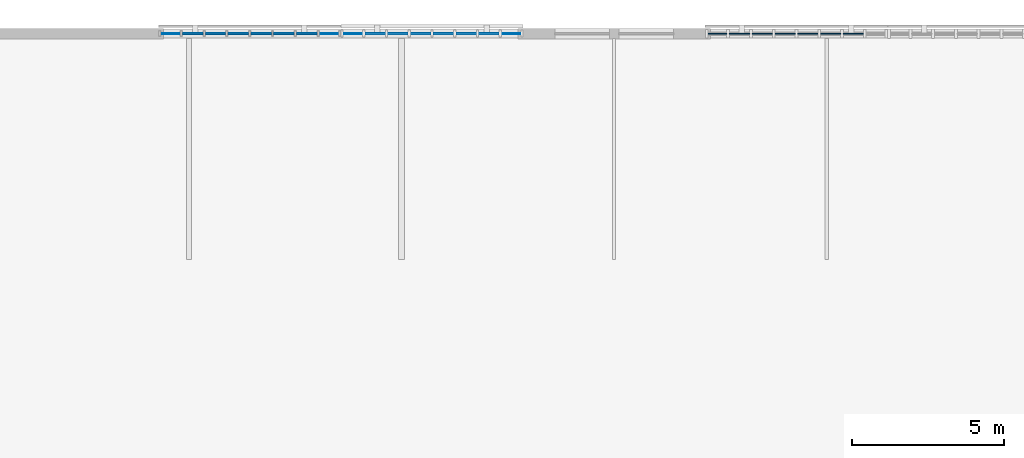
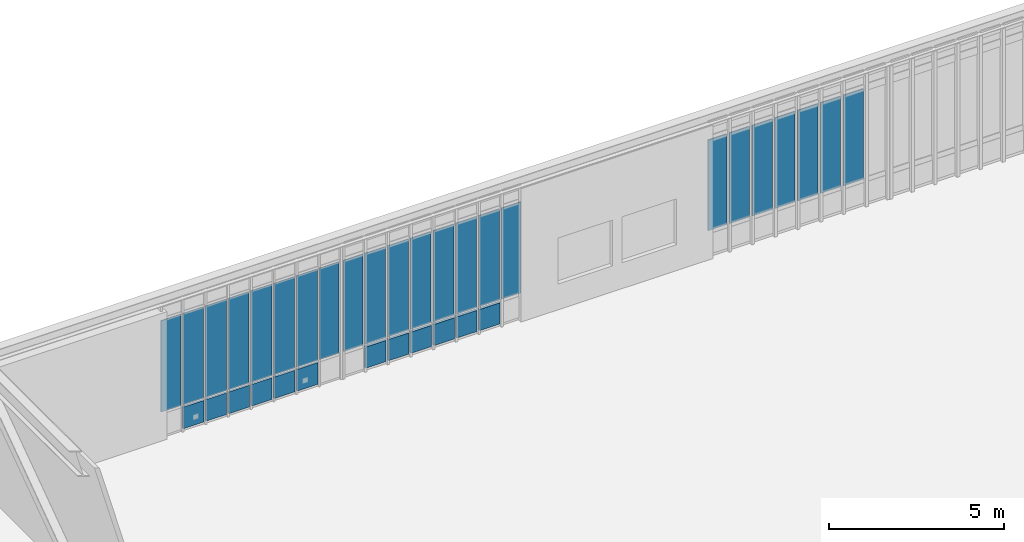
# One storey, part 81 of 135: 35 plates, 3 elements without a shape of their own.
"""IFC4 building model written with IfcOpenShell, lengths in metres."""

import ifcopenshell
import ifcopenshell.guid

model = None  # the IFC model being written
_history = None  # IfcOwnerHistory: only IFC2X3 demands one
_inside = {}  # id of a spatial element -> (the spatial element, [elements in it])
_under = {}  # id of a project, library or spatial element -> (it, [spatial elements below it])
_declared = {}  # id of a project -> (the project, [libraries it declares])
_typed = {}  # id of a type object -> (the type object, [elements of that type])
_made_of = {}  # id of a material, layer set ... -> (it, [elements and type objects made of it])


def new_model(schema):
    """Start an empty IFC model of exactly this schema.

    Asked for "IFC4X3", IfcOpenShell would pick the latest addendum, in which some entities
    have other attributes; the version numbers below select the first issue.
    IFC2X3 requires an IfcOwnerHistory on every rooted entity: one is made here for all.
    """
    global model, _history
    if schema == "IFC4X3":
        model = ifcopenshell.file(schema_version=(4, 3, 0, 0))
    else:
        model = ifcopenshell.file(schema=schema)
    _inside.clear()
    _under.clear()
    _declared.clear()
    _typed.clear()
    _made_of.clear()
    _history = None
    if model.schema == "IFC2X3":
        org = make("IfcOrganization", Name="unknown")
        user = make(
            "IfcPersonAndOrganization",
            ThePerson=make("IfcPerson", FamilyName="unknown"),
            TheOrganization=org,
        )
        app = make(
            "IfcApplication",
            ApplicationDeveloper=org,
            Version="unknown",
            ApplicationFullName="unknown",
            ApplicationIdentifier="unknown",
        )
        _history = make(
            "IfcOwnerHistory",
            OwningUser=user,
            OwningApplication=app,
            ChangeAction="ADDED",
            CreationDate=0,
        )
    return model


def make(cls, **values):
    """One entity of the class cls with the attributes given. An attribute that is None is left unset."""
    return model.create_entity(
        cls, **{name: value for name, value in values.items() if value is not None}
    )


def rooted(cls, **values):
    """An entity with a GlobalId (a new one), such as an element, a storey or a relation."""
    return make(cls, GlobalId=ifcopenshell.guid.new(), OwnerHistory=_history, **values)


def si_unit(unit_type, name, prefix=None):
    """IfcSIUnit, for example si_unit("LENGTHUNIT", "METRE", prefix="MILLI")."""
    return make("IfcSIUnit", UnitType=unit_type, Prefix=prefix, Name=name)


def assignment(units):
    """IfcUnitAssignment: the units of a project."""
    return None if units is None else make("IfcUnitAssignment", Units=units)


def point(xyz):
    """IfcCartesianPoint."""
    return None if xyz is None else make("IfcCartesianPoint", Coordinates=xyz)


def direction(xyz):
    """IfcDirection."""
    return None if xyz is None else make("IfcDirection", DirectionRatios=xyz)


def frame(location, z_axis=None, x_axis=None):
    """IfcAxis2Placement3D, a coordinate frame: its origin and axes. An axis left out is left unset."""
    return make(
        "IfcAxis2Placement3D",
        Location=point(location),
        Axis=direction(z_axis),
        RefDirection=direction(x_axis),
    )


def frame_2d(location, x_axis=None):
    """IfcAxis2Placement2D, a coordinate frame in the plane: its origin and x axis."""
    return make(
        "IfcAxis2Placement2D", Location=point(location), RefDirection=direction(x_axis)
    )


def origin():
    """The frame at (0, 0, 0) with its axes left unset."""
    return frame((0.0, 0.0, 0.0))


def origin_2d():
    """The frame at (0, 0) in the plane with its x axis left unset."""
    return frame_2d((0.0, 0.0))


def place(relative_to, where):
    """IfcLocalPlacement: puts the frame where relative to a parent placement (None: the world)."""
    return make(
        "IfcLocalPlacement", PlacementRelTo=relative_to, RelativePlacement=where
    )


def context(
    kind, dimensions, precision=None, world=None, true_north=None, identifier=None
):
    """IfcGeometricRepresentationContext, for example the 3D "Model" context."""
    return make(
        "IfcGeometricRepresentationContext",
        ContextIdentifier=identifier,
        ContextType=kind,
        CoordinateSpaceDimension=dimensions,
        Precision=precision,
        WorldCoordinateSystem=world,
        TrueNorth=true_north,
    )


def subcontext(parent, identifier, kind, view, scale=None):
    """IfcGeometricRepresentationSubContext, for example "Body" below "Model"."""
    return make(
        "IfcGeometricRepresentationSubContext",
        ContextIdentifier=identifier,
        ContextType=kind,
        ParentContext=parent,
        TargetScale=scale,
        TargetView=view,
    )


def project(units=None, contexts=None):
    """IfcProject with its units and contexts."""
    return rooted(
        "IfcProject",
        Name="project",
        RepresentationContexts=contexts,
        UnitsInContext=assignment(units),
    )


def spatial(cls, under=None, at=None, **own):
    """A site, building, storey or space (cls), placed at a placement, below another one or the project."""
    s = rooted(cls, ObjectPlacement=at, **own)
    if under is not None:
        _under.setdefault(under.id(), (under, []))[1].append(s)
    return s


def profile(cls, at=None, kind="AREA", **sizes):
    """A parametric profile (cls). Its sizes go by their IFC names, for example OverallWidth=200.0."""
    return make(cls, ProfileType=kind, Position=at, **sizes)


def rectangle(**sizes):
    """IfcRectangleProfileDef."""
    return profile("IfcRectangleProfileDef", **sizes)


def extrude(swept, where, along, depth):
    """IfcExtrudedAreaSolid: the profile swept, set in the frame where, extruded along a direction by depth."""
    return make(
        "IfcExtrudedAreaSolid",
        SweptArea=swept,
        Position=where,
        ExtrudedDirection=direction(along),
        Depth=depth,
    )


def shape(context_of_items, identifier, shape_type, items):
    """IfcShapeRepresentation: the items that make up one representation, for example the "Body"."""
    return make(
        "IfcShapeRepresentation",
        ContextOfItems=context_of_items,
        RepresentationIdentifier=identifier,
        RepresentationType=shape_type,
        Items=items,
    )


def material(Name=None, Category=None):
    """IfcMaterial."""
    return make("IfcMaterial", Name=Name, Category=Category)


def layer(
    of_material, thickness, ventilated=None, Name=None, Category=None, Priority=None
):
    """IfcMaterialLayer: one layer of a wall or slab, of a material (None: an air gap)."""
    return make(
        "IfcMaterialLayer",
        Material=of_material,
        LayerThickness=thickness,
        IsVentilated=ventilated,
        Name=Name,
        Category=Category,
        Priority=Priority,
    )


def layer_set(layers, Name=None):
    """IfcMaterialLayerSet."""
    return make("IfcMaterialLayerSet", MaterialLayers=layers, LayerSetName=Name)


def made_of(thing, what):
    """Note that an element or type object is made of a material, layer set ...; save() writes the relation."""
    if what is not None:
        _made_of.setdefault(what.id(), (what, []))[1].append(thing)
    return thing


def type_object(cls, material=None, **own):
    """A type object (cls), such as IfcWallType, which elements share."""
    return made_of(rooted(cls, **own), material)


def element(
    cls,
    number,
    at=None,
    inside=None,
    cuts=None,
    type_object=None,
    material=None,
    context=None,
    identifier="Body",
    shape_type=None,
    held_by="IfcProductDefinitionShape",
    body=None,
    shapes=None,
    **own,
):
    """One element of the class cls, such as IfcWall. Its Tag is "e" and its number.

    at: its placement. inside: the storey or other place that contains it. cuts: it is an
    opening in that element (IfcRelVoidsElement). A single representation is given by context,
    identifier, shape_type and body (its items); several are given by shapes. held_by: the class
    of the entity that holds the representations. save() writes the other relations.
    """
    e = rooted(cls, Tag="e%d" % number, ObjectPlacement=at, **own)
    if body is not None:
        shapes = [shape(context, identifier, shape_type, body)]
    if shapes is not None:
        e.Representation = make(held_by, Representations=shapes)
    if inside is not None:
        _inside.setdefault(inside.id(), (inside, []))[1].append(e)
    if cuts is not None:
        rooted(
            "IfcRelVoidsElement", RelatingBuildingElement=cuts, RelatedOpeningElement=e
        )
    if type_object is not None:
        _typed.setdefault(type_object.id(), (type_object, []))[1].append(e)
    return made_of(e, material)


def aggregate(whole, parts):
    """IfcRelAggregates: a whole, such as a stair, and the parts it consists of."""
    return rooted("IfcRelAggregates", RelatingObject=whole, RelatedObjects=parts)


def save(model, path):
    """Write the relations noted so far, then the file.

    IfcRelAggregates (storeys below a building ...), IfcRelContainedInSpatialStructure (elements
    in a storey), IfcRelDefinesByType, IfcRelAssociatesMaterial and IfcRelDeclares: one each for
    every whole, place, type object, material and project.
    """
    for whole, parts in _under.values():
        aggregate(whole, parts)
    for where, things in _inside.values():
        rooted(
            "IfcRelContainedInSpatialStructure",
            RelatedElements=things,
            RelatingStructure=where,
        )
    for kind, things in _typed.values():
        rooted("IfcRelDefinesByType", RelatedObjects=things, RelatingType=kind)
    for what, things in _made_of.values():
        rooted("IfcRelAssociatesMaterial", RelatedObjects=things, RelatingMaterial=what)
    for by, libraries in _declared.values():
        rooted("IfcRelDeclares", RelatingContext=by, RelatedDefinitions=libraries)
    model.write(path)


model = new_model("IFC4")

# Units and contexts
model_context = context("Model", 3, precision=1e-05, world=origin(), true_north=direction((0.0, 1.0)))
body_context = subcontext(model_context, "Body", "Model", "MODEL_VIEW")
ifc_project = project(units=[si_unit("LENGTHUNIT", "METRE"), si_unit("AREAUNIT", "SQUARE_METRE"), si_unit("VOLUMEUNIT", "CUBIC_METRE"), si_unit("PLANEANGLEUNIT", "RADIAN"), si_unit("MASSUNIT", "GRAM", prefix="KILO")], contexts=[model_context])

# Site, building, storey
site_placement = place(None, origin())
site = spatial("IfcSite", under=ifc_project, at=site_placement, CompositionType="ELEMENT")
building_placement = place(site_placement, origin())
building = spatial("IfcBuilding", under=site, at=building_placement, Name="Larkvane Passage Sports Hall", CompositionType="ELEMENT")
storey_placement = place(building_placement, frame((0.0, 0.0, 16.800048828125)))
storey = spatial("IfcBuildingStorey", under=building, at=storey_placement, Name="L03", CompositionType="ELEMENT", Elevation=16.800048828125)

# Curtain wall, plates
ifc_material_1 = material(Name="Thermally broken aluminium and low-E glazing", Category="aluminium")
curtain_wall_type_1 = type_object("IfcCurtainWallType", Name="CW-UNIT-COURT", PredefinedType="USERDEFINED", material=ifc_material_1)
curtain_wall_1_placement = place(storey_placement, origin())
curtain_wall_1 = element("IfcCurtainWall", 1, at=curtain_wall_1_placement, inside=storey, type_object=curtain_wall_type_1, Name="Curtain wall CW5-L03-136", ObjectType="UNITISED CURTAIN WALL", PredefinedType="USERDEFINED")
ifc_material_2 = material(Name="Insulated aluminium spandrel panel", Category="aluminium")
ifc_layer_1 = layer(ifc_material_2, 0.06494140625)
ifc_layer_set_1 = layer_set([ifc_layer_1], Name="Insulated aluminium spandrel panel")
plate_type_1 = type_object("IfcPlateType", Name="CWP-SPD-65", PredefinedType="CURTAIN_PANEL", material=ifc_layer_set_1)
plate_1_placement = place(storey_placement, frame((41.925048828125, 114.39990234375, 0.06494140625), z_axis=(0.0, 0.0, 1.0), x_axis=(1.0, 0.0, 0.0)))
plate_1 = element("IfcPlate", 2, at=plate_1_placement, type_object=plate_type_1, Name="CW-01 panel 2.1", PredefinedType="CURTAIN_PANEL", context=body_context, shape_type="SweptSolid", body=[
    extrude(rectangle(XDim=0.68505859375, YDim=0.06494140625, at=origin_2d()), origin(), (0.0, 0.0, 1.0), 0.75244140625),
])
plate_2_placement = place(storey_placement, frame((42.675048828125, 114.39990234375, 0.06494140625), z_axis=(0.0, 0.0, 1.0), x_axis=(1.0, 0.0, 0.0)))
plate_2 = element("IfcPlate", 3, at=plate_2_placement, type_object=plate_type_1, Name="CW-01 panel 3.1", PredefinedType="CURTAIN_PANEL", context=body_context, shape_type="SweptSolid", body=[
    extrude(rectangle(XDim=0.68505859375, YDim=0.06494140625, at=origin_2d()), origin(), (0.0, 0.0, 1.0), 0.75244140625),
])
plate_3_placement = place(storey_placement, frame((43.425048828125, 114.39990234375, 0.06494140625), z_axis=(0.0, 0.0, 1.0), x_axis=(1.0, 0.0, 0.0)))
plate_3 = element("IfcPlate", 4, at=plate_3_placement, type_object=plate_type_1, Name="CW-01 panel 4.1", PredefinedType="CURTAIN_PANEL", context=body_context, shape_type="SweptSolid", body=[
    extrude(rectangle(XDim=0.68505859375, YDim=0.06494140625, at=origin_2d()), origin(), (0.0, 0.0, 1.0), 0.75244140625),
])
plate_4_placement = place(storey_placement, frame((44.175048828125, 114.39990234375, 0.06494140625), z_axis=(0.0, 0.0, 1.0), x_axis=(1.0, 0.0, 0.0)))
plate_4 = element("IfcPlate", 5, at=plate_4_placement, type_object=plate_type_1, Name="CW-01 panel 5.1", PredefinedType="CURTAIN_PANEL", context=body_context, shape_type="SweptSolid", body=[
    extrude(rectangle(XDim=0.68505859375, YDim=0.06494140625, at=origin_2d()), origin(), (0.0, 0.0, 1.0), 0.75244140625),
])
plate_5_placement = place(storey_placement, frame((44.925048828125, 114.39990234375, 0.06494140625), z_axis=(0.0, 0.0, 1.0), x_axis=(1.0, 0.0, 0.0)))
plate_5 = element("IfcPlate", 6, at=plate_5_placement, type_object=plate_type_1, Name="CW-01 panel 6.1", PredefinedType="CURTAIN_PANEL", context=body_context, shape_type="SweptSolid", body=[
    extrude(rectangle(XDim=0.68505859375, YDim=0.06494140625, at=origin_2d()), origin(), (0.0, 0.0, 1.0), 0.75244140625),
])
plate_6_placement = place(storey_placement, frame((45.675048828125, 114.39990234375, 0.06494140625), z_axis=(0.0, 0.0, 1.0), x_axis=(1.0, 0.0, 0.0)))
plate_6 = element("IfcPlate", 7, at=plate_6_placement, type_object=plate_type_1, Name="CW-01 panel 7.1", PredefinedType="CURTAIN_PANEL", context=body_context, shape_type="SweptSolid", body=[
    extrude(rectangle(XDim=0.68505859375, YDim=0.06494140625, at=origin_2d()), origin(), (0.0, 0.0, 1.0), 0.75244140625),
])

curtain_wall_type_2 = type_object("IfcCurtainWallType", Name="CW-UNIT-VEIL", PredefinedType="USERDEFINED", material=ifc_material_1)
curtain_wall_2_placement = place(storey_placement, origin())
curtain_wall_2 = element("IfcCurtainWall", 8, at=curtain_wall_2_placement, inside=storey, type_object=curtain_wall_type_2, Name="Curtain wall CW5-L03-137", ObjectType="UNITISED CURTAIN WALL", PredefinedType="USERDEFINED")
ifc_material_3 = material(Name="Mineral-wool insulated spandrel cassette")
ifc_layer_2 = layer(ifc_material_3, 0.0849609375)
ifc_layer_set_2 = layer_set([ifc_layer_2], Name="Mineral-wool insulated spandrel cassette")
plate_type_2 = type_object("IfcPlateType", Name="CWP-SPD-85", PredefinedType="CURTAIN_PANEL", material=ifc_layer_set_2)
plate_7_placement = place(storey_placement, frame((47.925048828125, 114.39990234375, 0.07470703125), z_axis=(0.0, 0.0, 1.0), x_axis=(1.0, 0.0, 0.0)))
plate_7 = element("IfcPlate", 9, at=plate_7_placement, type_object=plate_type_2, Name="CW-02 panel 2.1", PredefinedType="CURTAIN_PANEL", context=body_context, shape_type="SweptSolid", body=[
    extrude(rectangle(XDim=0.675048828125, YDim=0.0849609375, at=origin_2d()), origin(), (0.0, 0.0, 1.0), 0.737548828125),
])
plate_8_placement = place(storey_placement, frame((48.675048828125, 114.39990234375, 0.07470703125), z_axis=(0.0, 0.0, 1.0), x_axis=(1.0, 0.0, 0.0)))
plate_8 = element("IfcPlate", 10, at=plate_8_placement, type_object=plate_type_2, Name="CW-02 panel 3.1", PredefinedType="CURTAIN_PANEL", context=body_context, shape_type="SweptSolid", body=[
    extrude(rectangle(XDim=0.675048828125, YDim=0.0849609375, at=origin_2d()), origin(), (0.0, 0.0, 1.0), 0.737548828125),
])
plate_9_placement = place(storey_placement, frame((49.425048828125, 114.39990234375, 0.07470703125), z_axis=(0.0, 0.0, 1.0), x_axis=(1.0, 0.0, 0.0)))
plate_9 = element("IfcPlate", 11, at=plate_9_placement, type_object=plate_type_2, Name="CW-02 panel 4.1", PredefinedType="CURTAIN_PANEL", context=body_context, shape_type="SweptSolid", body=[
    extrude(rectangle(XDim=0.675048828125, YDim=0.0849609375, at=origin_2d()), origin(), (0.0, 0.0, 1.0), 0.737548828125),
])
plate_10_placement = place(storey_placement, frame((50.175048828125, 114.39990234375, 0.07470703125), z_axis=(0.0, 0.0, 1.0), x_axis=(1.0, 0.0, 0.0)))
plate_10 = element("IfcPlate", 12, at=plate_10_placement, type_object=plate_type_2, Name="CW-02 panel 5.1", PredefinedType="CURTAIN_PANEL", context=body_context, shape_type="SweptSolid", body=[
    extrude(rectangle(XDim=0.675048828125, YDim=0.0849609375, at=origin_2d()), origin(), (0.0, 0.0, 1.0), 0.737548828125),
])
plate_11_placement = place(storey_placement, frame((50.925048828125, 114.39990234375, 0.07470703125), z_axis=(0.0, 0.0, 1.0), x_axis=(1.0, 0.0, 0.0)))
plate_11 = element("IfcPlate", 13, at=plate_11_placement, type_object=plate_type_2, Name="CW-02 panel 6.1", PredefinedType="CURTAIN_PANEL", context=body_context, shape_type="SweptSolid", body=[
    extrude(rectangle(XDim=0.675048828125, YDim=0.0849609375, at=origin_2d()), origin(), (0.0, 0.0, 1.0), 0.737548828125),
])
plate_12_placement = place(storey_placement, frame((51.675048828125, 114.39990234375, 0.07470703125), z_axis=(0.0, 0.0, 1.0), x_axis=(1.0, 0.0, 0.0)))
plate_12 = element("IfcPlate", 14, at=plate_12_placement, type_object=plate_type_2, Name="CW-02 panel 7.1", PredefinedType="CURTAIN_PANEL", context=body_context, shape_type="SweptSolid", body=[
    extrude(rectangle(XDim=0.675048828125, YDim=0.0849609375, at=origin_2d()), origin(), (0.0, 0.0, 1.0), 0.737548828125),
])

# Plate
ifc_material_4 = material(Name="Solar-control low-E double glazing", Category="glass")
ifc_layer_3 = layer(ifc_material_4, 0.028076171875)
ifc_layer_set_3 = layer_set([ifc_layer_3], Name="Solar-control low-E double glazing")
plate_type_3 = type_object("IfcPlateType", Name="CWP-VIS-28", PredefinedType="CURTAIN_PANEL", material=ifc_layer_set_3)
plate_13_placement = place(storey_placement, frame((41.191162109375, 114.39990234375, 0.88232421875), z_axis=(0.0, 0.0, 1.0), x_axis=(1.0, 0.0, 0.0)))
plate_13 = element("IfcPlate", 15, at=plate_13_placement, type_object=plate_type_3, Name="CW-01 panel 1.2", PredefinedType="CURTAIN_PANEL", context=body_context, shape_type="SweptSolid", body=[
    extrude(rectangle(XDim=0.652587890625, YDim=0.028076171875, at=origin_2d()), origin(), (0.0, 0.0, 1.0), 3.18310546875),
])

plate_14_placement = place(storey_placement, frame((41.925048828125, 114.39990234375, 0.88232421875), z_axis=(0.0, 0.0, 1.0), x_axis=(1.0, 0.0, 0.0)))
plate_14 = element("IfcPlate", 16, at=plate_14_placement, type_object=plate_type_3, Name="CW-01 panel 2.2", PredefinedType="CURTAIN_PANEL", context=body_context, shape_type="SweptSolid", body=[
    extrude(rectangle(XDim=0.68505859375, YDim=0.028076171875, at=origin_2d()), origin(), (0.0, 0.0, 1.0), 3.18310546875),
])

plate_15_placement = place(storey_placement, frame((42.675048828125, 114.39990234375, 0.88232421875), z_axis=(0.0, 0.0, 1.0), x_axis=(1.0, 0.0, 0.0)))
plate_15 = element("IfcPlate", 17, at=plate_15_placement, type_object=plate_type_3, Name="CW-01 panel 3.2", PredefinedType="CURTAIN_PANEL", context=body_context, shape_type="SweptSolid", body=[
    extrude(rectangle(XDim=0.68505859375, YDim=0.028076171875, at=origin_2d()), origin(), (0.0, 0.0, 1.0), 3.18310546875),
])

plate_16_placement = place(storey_placement, frame((43.425048828125, 114.39990234375, 0.88232421875), z_axis=(0.0, 0.0, 1.0), x_axis=(1.0, 0.0, 0.0)))
plate_16 = element("IfcPlate", 18, at=plate_16_placement, type_object=plate_type_3, Name="CW-01 panel 4.2", PredefinedType="CURTAIN_PANEL", context=body_context, shape_type="SweptSolid", body=[
    extrude(rectangle(XDim=0.68505859375, YDim=0.028076171875, at=origin_2d()), origin(), (0.0, 0.0, 1.0), 3.18310546875),
])

plate_17_placement = place(storey_placement, frame((44.175048828125, 114.39990234375, 0.88232421875), z_axis=(0.0, 0.0, 1.0), x_axis=(1.0, 0.0, 0.0)))
plate_17 = element("IfcPlate", 19, at=plate_17_placement, type_object=plate_type_3, Name="CW-01 panel 5.2", PredefinedType="CURTAIN_PANEL", context=body_context, shape_type="SweptSolid", body=[
    extrude(rectangle(XDim=0.68505859375, YDim=0.028076171875, at=origin_2d()), origin(), (0.0, 0.0, 1.0), 3.18310546875),
])

plate_18_placement = place(storey_placement, frame((44.925048828125, 114.39990234375, 0.88232421875), z_axis=(0.0, 0.0, 1.0), x_axis=(1.0, 0.0, 0.0)))
plate_18 = element("IfcPlate", 20, at=plate_18_placement, type_object=plate_type_3, Name="CW-01 panel 6.2", PredefinedType="CURTAIN_PANEL", context=body_context, shape_type="SweptSolid", body=[
    extrude(rectangle(XDim=0.68505859375, YDim=0.028076171875, at=origin_2d()), origin(), (0.0, 0.0, 1.0), 3.18310546875),
])

plate_19_placement = place(storey_placement, frame((45.675048828125, 114.39990234375, 0.88232421875), z_axis=(0.0, 0.0, 1.0), x_axis=(1.0, 0.0, 0.0)))
plate_19 = element("IfcPlate", 21, at=plate_19_placement, type_object=plate_type_3, Name="CW-01 panel 7.2", PredefinedType="CURTAIN_PANEL", context=body_context, shape_type="SweptSolid", body=[
    extrude(rectangle(XDim=0.68505859375, YDim=0.028076171875, at=origin_2d()), origin(), (0.0, 0.0, 1.0), 3.18310546875),
])

plate_20_placement = place(storey_placement, frame((46.40869140625, 114.39990234375, 0.88232421875), z_axis=(0.0, 0.0, 1.0), x_axis=(1.0, 0.0, 0.0)))
plate_20 = element("IfcPlate", 22, at=plate_20_placement, type_object=plate_type_3, Name="CW-01 panel 8.2", PredefinedType="CURTAIN_PANEL", context=body_context, shape_type="SweptSolid", body=[
    extrude(rectangle(XDim=0.652587890625, YDim=0.028076171875, at=origin_2d()), origin(), (0.0, 0.0, 1.0), 3.18310546875),
])

aggregate(curtain_wall_1, [plate_13, plate_1, plate_14, plate_2, plate_15, plate_3, plate_16, plate_4, plate_17, plate_5, plate_18, plate_6, plate_19, plate_20])

ifc_material_5 = material(Name="Laminated acoustic low-E glazing", Category="glass")
ifc_layer_4 = layer(ifc_material_5, 0.031982421875)
ifc_layer_set_4 = layer_set([ifc_layer_4], Name="Laminated acoustic low-E glazing")
plate_type_4 = type_object("IfcPlateType", Name="CWP-VIS-32", PredefinedType="CURTAIN_PANEL", material=ifc_layer_set_4)
plate_21_placement = place(storey_placement, frame((47.19384765625, 114.39990234375, 0.88720703125), z_axis=(0.0, 0.0, 1.0), x_axis=(1.0, 0.0, 0.0)))
plate_21 = element("IfcPlate", 23, at=plate_21_placement, type_object=plate_type_4, Name="CW-02 panel 1.2", PredefinedType="CURTAIN_PANEL", context=body_context, shape_type="SweptSolid", body=[
    extrude(rectangle(XDim=0.637451171875, YDim=0.031982421875, at=origin_2d()), origin(), (0.0, 0.0, 1.0), 3.173095703125),
])

plate_22_placement = place(storey_placement, frame((47.925048828125, 114.39990234375, 0.88720703125), z_axis=(0.0, 0.0, 1.0), x_axis=(1.0, 0.0, 0.0)))
plate_22 = element("IfcPlate", 24, at=plate_22_placement, type_object=plate_type_4, Name="CW-02 panel 2.2", PredefinedType="CURTAIN_PANEL", context=body_context, shape_type="SweptSolid", body=[
    extrude(rectangle(XDim=0.675048828125, YDim=0.031982421875, at=origin_2d()), origin(), (0.0, 0.0, 1.0), 3.173095703125),
])

plate_23_placement = place(storey_placement, frame((48.675048828125, 114.39990234375, 0.88720703125), z_axis=(0.0, 0.0, 1.0), x_axis=(1.0, 0.0, 0.0)))
plate_23 = element("IfcPlate", 25, at=plate_23_placement, type_object=plate_type_4, Name="CW-02 panel 3.2", PredefinedType="CURTAIN_PANEL", context=body_context, shape_type="SweptSolid", body=[
    extrude(rectangle(XDim=0.675048828125, YDim=0.031982421875, at=origin_2d()), origin(), (0.0, 0.0, 1.0), 3.173095703125),
])

plate_24_placement = place(storey_placement, frame((49.425048828125, 114.39990234375, 0.88720703125), z_axis=(0.0, 0.0, 1.0), x_axis=(1.0, 0.0, 0.0)))
plate_24 = element("IfcPlate", 26, at=plate_24_placement, type_object=plate_type_4, Name="CW-02 panel 4.2", PredefinedType="CURTAIN_PANEL", context=body_context, shape_type="SweptSolid", body=[
    extrude(rectangle(XDim=0.675048828125, YDim=0.031982421875, at=origin_2d()), origin(), (0.0, 0.0, 1.0), 3.173095703125),
])

plate_25_placement = place(storey_placement, frame((50.175048828125, 114.39990234375, 0.88720703125), z_axis=(0.0, 0.0, 1.0), x_axis=(1.0, 0.0, 0.0)))
plate_25 = element("IfcPlate", 27, at=plate_25_placement, type_object=plate_type_4, Name="CW-02 panel 5.2", PredefinedType="CURTAIN_PANEL", context=body_context, shape_type="SweptSolid", body=[
    extrude(rectangle(XDim=0.675048828125, YDim=0.031982421875, at=origin_2d()), origin(), (0.0, 0.0, 1.0), 3.173095703125),
])

plate_26_placement = place(storey_placement, frame((50.925048828125, 114.39990234375, 0.88720703125), z_axis=(0.0, 0.0, 1.0), x_axis=(1.0, 0.0, 0.0)))
plate_26 = element("IfcPlate", 28, at=plate_26_placement, type_object=plate_type_4, Name="CW-02 panel 6.2", PredefinedType="CURTAIN_PANEL", context=body_context, shape_type="SweptSolid", body=[
    extrude(rectangle(XDim=0.675048828125, YDim=0.031982421875, at=origin_2d()), origin(), (0.0, 0.0, 1.0), 3.173095703125),
])

plate_27_placement = place(storey_placement, frame((51.675048828125, 114.39990234375, 0.88720703125), z_axis=(0.0, 0.0, 1.0), x_axis=(1.0, 0.0, 0.0)))
plate_27 = element("IfcPlate", 29, at=plate_27_placement, type_object=plate_type_4, Name="CW-02 panel 7.2", PredefinedType="CURTAIN_PANEL", context=body_context, shape_type="SweptSolid", body=[
    extrude(rectangle(XDim=0.675048828125, YDim=0.031982421875, at=origin_2d()), origin(), (0.0, 0.0, 1.0), 3.173095703125),
])

plate_28_placement = place(storey_placement, frame((52.40625, 114.39990234375, 0.88720703125), z_axis=(0.0, 0.0, 1.0), x_axis=(1.0, 0.0, 0.0)))
plate_28 = element("IfcPlate", 30, at=plate_28_placement, type_object=plate_type_4, Name="CW-02 panel 8.2", PredefinedType="CURTAIN_PANEL", context=body_context, shape_type="SweptSolid", body=[
    extrude(rectangle(XDim=0.637451171875, YDim=0.031982421875, at=origin_2d()), origin(), (0.0, 0.0, 1.0), 3.173095703125),
])

aggregate(curtain_wall_2, [plate_21, plate_7, plate_22, plate_8, plate_23, plate_9, plate_24, plate_10, plate_25, plate_11, plate_26, plate_12, plate_27, plate_28])

# Curtain wall, plates
curtain_wall_type_3 = type_object("IfcCurtainWallType", Name="CW-STICK-FOYER", PredefinedType="USERDEFINED", material=ifc_material_1)
curtain_wall_3_placement = place(storey_placement, origin())
curtain_wall_3 = element("IfcCurtainWall", 31, at=curtain_wall_3_placement, inside=storey, type_object=curtain_wall_type_3, Name="Curtain wall CW5-L03-138", ObjectType="STICK CURTAIN WALL", PredefinedType="USERDEFINED")
ifc_material_6 = material(Name="High-impact court low-E glazing", Category="glass")
ifc_layer_5 = layer(ifc_material_6, 0.035888671875)
ifc_layer_set_5 = layer_set([ifc_layer_5], Name="High-impact court low-E glazing")
plate_type_5 = type_object("IfcPlateType", Name="CWP-VIS-36", PredefinedType="CURTAIN_PANEL", material=ifc_layer_set_5)
plate_29_placement = place(storey_placement, frame((59.197509765625, 114.39990234375, 0.89501953125), z_axis=(0.0, 0.0, 1.0), x_axis=(1.0, 0.0, 0.0)))
plate_29 = element("IfcPlate", 32, at=plate_29_placement, type_object=plate_type_5, Name="CW-03 panel 1.2", PredefinedType="CURTAIN_PANEL", context=body_context, shape_type="SweptSolid", body=[
    extrude(rectangle(XDim=0.614990234375, YDim=0.035888671875, at=origin_2d()), origin(), (0.0, 0.0, 1.0), 3.157958984375),
])
plate_30_placement = place(storey_placement, frame((59.925048828125, 114.39990234375, 0.89501953125), z_axis=(0.0, 0.0, 1.0), x_axis=(1.0, 0.0, 0.0)))
plate_30 = element("IfcPlate", 33, at=plate_30_placement, type_object=plate_type_5, Name="CW-03 panel 2.2", PredefinedType="CURTAIN_PANEL", context=body_context, shape_type="SweptSolid", body=[
    extrude(rectangle(XDim=0.659912109375, YDim=0.035888671875, at=origin_2d()), origin(), (0.0, 0.0, 1.0), 3.157958984375),
])
plate_31_placement = place(storey_placement, frame((60.675048828125, 114.39990234375, 0.89501953125), z_axis=(0.0, 0.0, 1.0), x_axis=(1.0, 0.0, 0.0)))
plate_31 = element("IfcPlate", 34, at=plate_31_placement, type_object=plate_type_5, Name="CW-03 panel 3.2", PredefinedType="CURTAIN_PANEL", context=body_context, shape_type="SweptSolid", body=[
    extrude(rectangle(XDim=0.659912109375, YDim=0.035888671875, at=origin_2d()), origin(), (0.0, 0.0, 1.0), 3.157958984375),
])
plate_32_placement = place(storey_placement, frame((61.425048828125, 114.39990234375, 0.89501953125), z_axis=(0.0, 0.0, 1.0), x_axis=(1.0, 0.0, 0.0)))
plate_32 = element("IfcPlate", 35, at=plate_32_placement, type_object=plate_type_5, Name="CW-03 panel 4.2", PredefinedType="CURTAIN_PANEL", context=body_context, shape_type="SweptSolid", body=[
    extrude(rectangle(XDim=0.659912109375, YDim=0.035888671875, at=origin_2d()), origin(), (0.0, 0.0, 1.0), 3.157958984375),
])
plate_33_placement = place(storey_placement, frame((62.175048828125, 114.39990234375, 0.89501953125), z_axis=(0.0, 0.0, 1.0), x_axis=(1.0, 0.0, 0.0)))
plate_33 = element("IfcPlate", 36, at=plate_33_placement, type_object=plate_type_5, Name="CW-03 panel 5.2", PredefinedType="CURTAIN_PANEL", context=body_context, shape_type="SweptSolid", body=[
    extrude(rectangle(XDim=0.659912109375, YDim=0.035888671875, at=origin_2d()), origin(), (0.0, 0.0, 1.0), 3.157958984375),
])
plate_34_placement = place(storey_placement, frame((62.925048828125, 114.39990234375, 0.89501953125), z_axis=(0.0, 0.0, 1.0), x_axis=(1.0, 0.0, 0.0)))
plate_34 = element("IfcPlate", 37, at=plate_34_placement, type_object=plate_type_5, Name="CW-03 panel 6.2", PredefinedType="CURTAIN_PANEL", context=body_context, shape_type="SweptSolid", body=[
    extrude(rectangle(XDim=0.659912109375, YDim=0.035888671875, at=origin_2d()), origin(), (0.0, 0.0, 1.0), 3.157958984375),
])
plate_35_placement = place(storey_placement, frame((63.675048828125, 114.39990234375, 0.89501953125), z_axis=(0.0, 0.0, 1.0), x_axis=(1.0, 0.0, 0.0)))
plate_35 = element("IfcPlate", 38, at=plate_35_placement, type_object=plate_type_5, Name="CW-03 panel 7.2", PredefinedType="CURTAIN_PANEL", context=body_context, shape_type="SweptSolid", body=[
    extrude(rectangle(XDim=0.659912109375, YDim=0.035888671875, at=origin_2d()), origin(), (0.0, 0.0, 1.0), 3.157958984375),
])
aggregate(curtain_wall_3, [plate_29, plate_30, plate_31, plate_32, plate_33, plate_34, plate_35])

save(model, "model.ifc")
